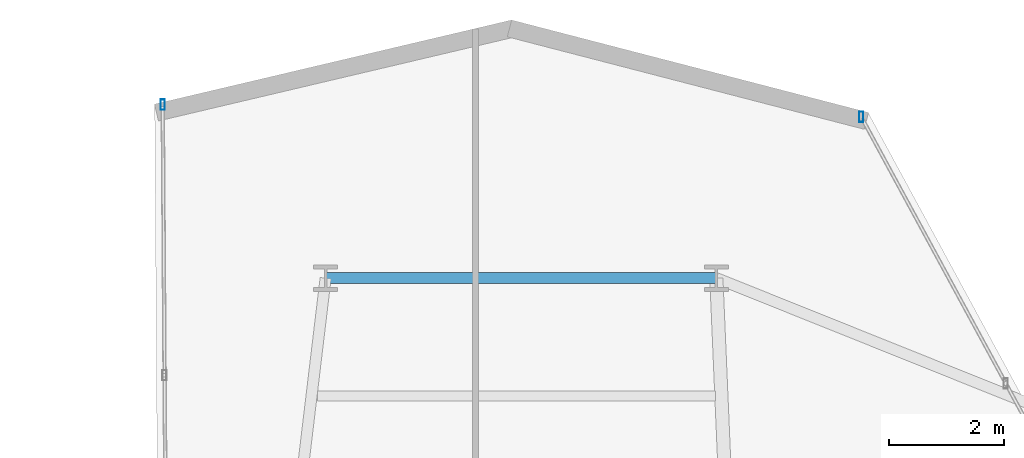
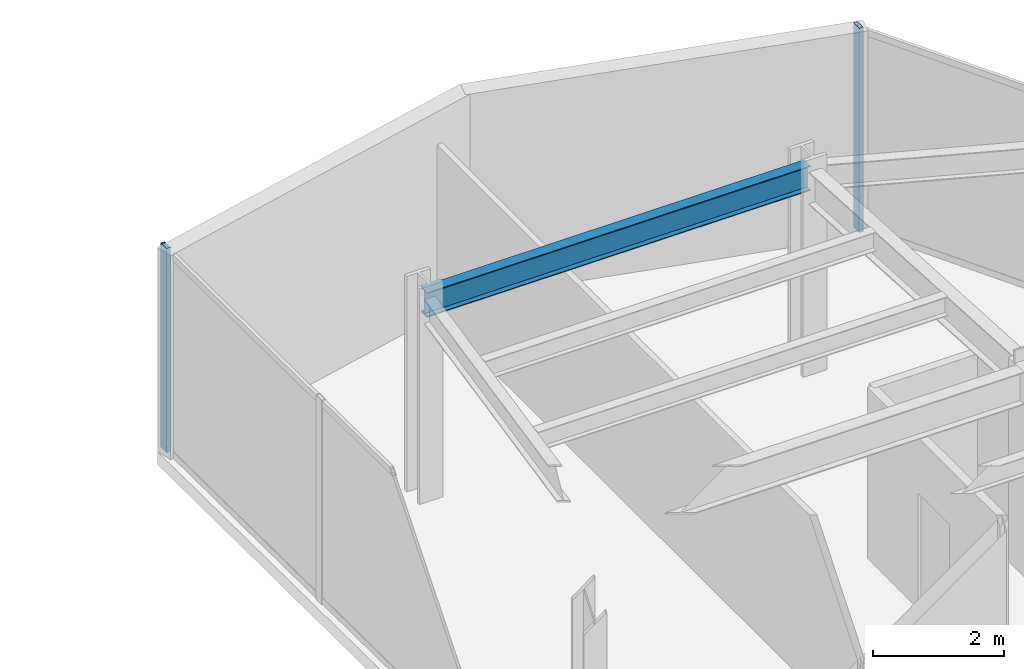
# One storey, part 19 of 26: 2 members, 1 beam, 2 elements without a shape of their own.
"""IFC4 building model written with IfcOpenShell, lengths in metres."""

import ifcopenshell
import ifcopenshell.guid

model = None  # the IFC model being written
_history = None  # IfcOwnerHistory: only IFC2X3 demands one
_inside = {}  # id of a spatial element -> (the spatial element, [elements in it])
_under = {}  # id of a project, library or spatial element -> (it, [spatial elements below it])
_declared = {}  # id of a project -> (the project, [libraries it declares])
_typed = {}  # id of a type object -> (the type object, [elements of that type])
_made_of = {}  # id of a material, layer set ... -> (it, [elements and type objects made of it])


def new_model(schema):
    """Start an empty IFC model of exactly this schema.

    Asked for "IFC4X3", IfcOpenShell would pick the latest addendum, in which some entities
    have other attributes; the version numbers below select the first issue.
    IFC2X3 requires an IfcOwnerHistory on every rooted entity: one is made here for all.
    """
    global model, _history
    if schema == "IFC4X3":
        model = ifcopenshell.file(schema_version=(4, 3, 0, 0))
    else:
        model = ifcopenshell.file(schema=schema)
    _inside.clear()
    _under.clear()
    _declared.clear()
    _typed.clear()
    _made_of.clear()
    _history = None
    if model.schema == "IFC2X3":
        org = make("IfcOrganization", Name="unknown")
        user = make(
            "IfcPersonAndOrganization",
            ThePerson=make("IfcPerson", FamilyName="unknown"),
            TheOrganization=org,
        )
        app = make(
            "IfcApplication",
            ApplicationDeveloper=org,
            Version="unknown",
            ApplicationFullName="unknown",
            ApplicationIdentifier="unknown",
        )
        _history = make(
            "IfcOwnerHistory",
            OwningUser=user,
            OwningApplication=app,
            ChangeAction="ADDED",
            CreationDate=0,
        )
    return model


def make(cls, **values):
    """One entity of the class cls with the attributes given. An attribute that is None is left unset."""
    return model.create_entity(
        cls, **{name: value for name, value in values.items() if value is not None}
    )


def rooted(cls, **values):
    """An entity with a GlobalId (a new one), such as an element, a storey or a relation."""
    return make(cls, GlobalId=ifcopenshell.guid.new(), OwnerHistory=_history, **values)


def si_unit(unit_type, name, prefix=None):
    """IfcSIUnit, for example si_unit("LENGTHUNIT", "METRE", prefix="MILLI")."""
    return make("IfcSIUnit", UnitType=unit_type, Prefix=prefix, Name=name)


def assignment(units):
    """IfcUnitAssignment: the units of a project."""
    return None if units is None else make("IfcUnitAssignment", Units=units)


def point(xyz):
    """IfcCartesianPoint."""
    return None if xyz is None else make("IfcCartesianPoint", Coordinates=xyz)


def direction(xyz):
    """IfcDirection."""
    return None if xyz is None else make("IfcDirection", DirectionRatios=xyz)


def frame(location, z_axis=None, x_axis=None):
    """IfcAxis2Placement3D, a coordinate frame: its origin and axes. An axis left out is left unset."""
    return make(
        "IfcAxis2Placement3D",
        Location=point(location),
        Axis=direction(z_axis),
        RefDirection=direction(x_axis),
    )


def frame_2d(location, x_axis=None):
    """IfcAxis2Placement2D, a coordinate frame in the plane: its origin and x axis."""
    return make(
        "IfcAxis2Placement2D", Location=point(location), RefDirection=direction(x_axis)
    )


def origin():
    """The frame at (0, 0, 0) with its axes left unset."""
    return frame((0.0, 0.0, 0.0))


def origin_2d():
    """The frame at (0, 0) in the plane with its x axis left unset."""
    return frame_2d((0.0, 0.0))


def place(relative_to, where):
    """IfcLocalPlacement: puts the frame where relative to a parent placement (None: the world)."""
    return make(
        "IfcLocalPlacement", PlacementRelTo=relative_to, RelativePlacement=where
    )


def context(
    kind, dimensions, precision=None, world=None, true_north=None, identifier=None
):
    """IfcGeometricRepresentationContext, for example the 3D "Model" context."""
    return make(
        "IfcGeometricRepresentationContext",
        ContextIdentifier=identifier,
        ContextType=kind,
        CoordinateSpaceDimension=dimensions,
        Precision=precision,
        WorldCoordinateSystem=world,
        TrueNorth=true_north,
    )


def subcontext(parent, identifier, kind, view, scale=None):
    """IfcGeometricRepresentationSubContext, for example "Body" below "Model"."""
    return make(
        "IfcGeometricRepresentationSubContext",
        ContextIdentifier=identifier,
        ContextType=kind,
        ParentContext=parent,
        TargetScale=scale,
        TargetView=view,
    )


def project(units=None, contexts=None):
    """IfcProject with its units and contexts."""
    return rooted(
        "IfcProject",
        Name="project",
        RepresentationContexts=contexts,
        UnitsInContext=assignment(units),
    )


def spatial(cls, under=None, at=None, **own):
    """A site, building, storey or space (cls), placed at a placement, below another one or the project."""
    s = rooted(cls, ObjectPlacement=at, **own)
    if under is not None:
        _under.setdefault(under.id(), (under, []))[1].append(s)
    return s


def profile(cls, at=None, kind="AREA", **sizes):
    """A parametric profile (cls). Its sizes go by their IFC names, for example OverallWidth=200.0."""
    return make(cls, ProfileType=kind, Position=at, **sizes)


def hollow_rectangle(**sizes):
    """IfcRectangleHollowProfileDef."""
    return profile("IfcRectangleHollowProfileDef", **sizes)


def i_section(**sizes):
    """IfcIShapeProfileDef."""
    return profile("IfcIShapeProfileDef", **sizes)


def extrude(swept, where, along, depth):
    """IfcExtrudedAreaSolid: the profile swept, set in the frame where, extruded along a direction by depth."""
    return make(
        "IfcExtrudedAreaSolid",
        SweptArea=swept,
        Position=where,
        ExtrudedDirection=direction(along),
        Depth=depth,
    )


def shape(context_of_items, identifier, shape_type, items):
    """IfcShapeRepresentation: the items that make up one representation, for example the "Body"."""
    return make(
        "IfcShapeRepresentation",
        ContextOfItems=context_of_items,
        RepresentationIdentifier=identifier,
        RepresentationType=shape_type,
        Items=items,
    )


def material(Name=None, Category=None):
    """IfcMaterial."""
    return make("IfcMaterial", Name=Name, Category=Category)


def layer(
    of_material, thickness, ventilated=None, Name=None, Category=None, Priority=None
):
    """IfcMaterialLayer: one layer of a wall or slab, of a material (None: an air gap)."""
    return make(
        "IfcMaterialLayer",
        Material=of_material,
        LayerThickness=thickness,
        IsVentilated=ventilated,
        Name=Name,
        Category=Category,
        Priority=Priority,
    )


def layer_set(layers, Name=None):
    """IfcMaterialLayerSet."""
    return make("IfcMaterialLayerSet", MaterialLayers=layers, LayerSetName=Name)


def material_profile(
    of_material, cross_section, Name=None, Category=None, Priority=None
):
    """IfcMaterialProfile: a cross section and its material."""
    return make(
        "IfcMaterialProfile",
        Name=Name,
        Material=of_material,
        Profile=cross_section,
        Priority=Priority,
        Category=Category,
    )


def profile_set(profiles, Name=None, composite=None):
    """IfcMaterialProfileSet."""
    return make(
        "IfcMaterialProfileSet",
        Name=Name,
        MaterialProfiles=profiles,
        CompositeProfile=composite,
    )


def made_of(thing, what):
    """Note that an element or type object is made of a material, layer set ...; save() writes the relation."""
    if what is not None:
        _made_of.setdefault(what.id(), (what, []))[1].append(thing)
    return thing


def type_object(cls, material=None, **own):
    """A type object (cls), such as IfcWallType, which elements share."""
    return made_of(rooted(cls, **own), material)


def element(
    cls,
    number,
    at=None,
    inside=None,
    cuts=None,
    type_object=None,
    material=None,
    context=None,
    identifier="Body",
    shape_type=None,
    held_by="IfcProductDefinitionShape",
    body=None,
    shapes=None,
    **own,
):
    """One element of the class cls, such as IfcWall. Its Tag is "e" and its number.

    at: its placement. inside: the storey or other place that contains it. cuts: it is an
    opening in that element (IfcRelVoidsElement). A single representation is given by context,
    identifier, shape_type and body (its items); several are given by shapes. held_by: the class
    of the entity that holds the representations. save() writes the other relations.
    """
    e = rooted(cls, Tag="e%d" % number, ObjectPlacement=at, **own)
    if body is not None:
        shapes = [shape(context, identifier, shape_type, body)]
    if shapes is not None:
        e.Representation = make(held_by, Representations=shapes)
    if inside is not None:
        _inside.setdefault(inside.id(), (inside, []))[1].append(e)
    if cuts is not None:
        rooted(
            "IfcRelVoidsElement", RelatingBuildingElement=cuts, RelatedOpeningElement=e
        )
    if type_object is not None:
        _typed.setdefault(type_object.id(), (type_object, []))[1].append(e)
    return made_of(e, material)


def aggregate(whole, parts):
    """IfcRelAggregates: a whole, such as a stair, and the parts it consists of."""
    return rooted("IfcRelAggregates", RelatingObject=whole, RelatedObjects=parts)


def save(model, path):
    """Write the relations noted so far, then the file.

    IfcRelAggregates (storeys below a building ...), IfcRelContainedInSpatialStructure (elements
    in a storey), IfcRelDefinesByType, IfcRelAssociatesMaterial and IfcRelDeclares: one each for
    every whole, place, type object, material and project.
    """
    for whole, parts in _under.values():
        aggregate(whole, parts)
    for where, things in _inside.values():
        rooted(
            "IfcRelContainedInSpatialStructure",
            RelatedElements=things,
            RelatingStructure=where,
        )
    for kind, things in _typed.values():
        rooted("IfcRelDefinesByType", RelatedObjects=things, RelatingType=kind)
    for what, things in _made_of.values():
        rooted("IfcRelAssociatesMaterial", RelatedObjects=things, RelatingMaterial=what)
    for by, libraries in _declared.values():
        rooted("IfcRelDeclares", RelatingContext=by, RelatedDefinitions=libraries)
    model.write(path)


model = new_model("IFC4")

# Units and contexts
model_context = context("Model", 3, precision=1e-05, world=origin(), true_north=direction((0.0, 1.0)))
body_context = subcontext(model_context, "Body", "Model", "MODEL_VIEW")
ifc_project = project(units=[si_unit("LENGTHUNIT", "METRE"), si_unit("AREAUNIT", "SQUARE_METRE"), si_unit("VOLUMEUNIT", "CUBIC_METRE"), si_unit("PLANEANGLEUNIT", "RADIAN"), si_unit("MASSUNIT", "GRAM", prefix="KILO")], contexts=[model_context])

# Site, building, storey
site_placement = place(None, origin())
site = spatial("IfcSite", under=ifc_project, at=site_placement, CompositionType="ELEMENT")
building_placement = place(site_placement, origin())
building = spatial("IfcBuilding", under=site, at=building_placement, Name="Veymaron Broadcast Tower", CompositionType="ELEMENT")
storey_placement = place(building_placement, frame((0.0, 0.0, 153.300048828125)))
storey = spatial("IfcBuildingStorey", under=building, at=storey_placement, Name="L35", CompositionType="ELEMENT", Elevation=153.300048828125)

# Beam
ifc_material_1 = material(Name="Structural steel ASTM A992 Gr 50", Category="steel")
ifc_material_profile_1 = material_profile(ifc_material_1, i_section(OverallWidth=0.19091796875, OverallDepth=0.4599609375, WebThickness=0.010009765625, FlangeThickness=0.01611328125, at=origin_2d()), Name="W460X82")
ifc_profile_set_1 = profile_set([ifc_material_profile_1], Name="Structural steel ASTM A992 Gr 50")
beam_type = type_object("IfcBeamType", Name="BM-SP1", PredefinedType="SPANDREL", material=ifc_profile_set_1)
beam_placement = place(storey_placement, frame((31.961669921875, 38.367919921875, 3.579833984375), z_axis=(1.0, 0.0, 0.0), x_axis=(0.0, 1.0, 0.0)))
element("IfcBeam", 1, at=beam_placement, inside=storey, type_object=beam_type, Name="L35 primary structural floor girder", PredefinedType="SPANDREL", context=body_context, shape_type="SweptSolid", body=[
    extrude(i_section(OverallWidth=0.19091796875, OverallDepth=0.4599609375, WebThickness=0.010009765625, FlangeThickness=0.01611328125, at=origin_2d()), origin(), (0.0, 0.0, 1.0), 6.766357421875),
])

# Curtain wall, member
ifc_material_2 = material(Name="Anodised aluminium AA 6063-T6 and laminated low-E dark glass", Category="aluminium")
ifc_layer = layer(ifc_material_2, 0.179931640625)
ifc_layer_set = layer_set([ifc_layer], Name="Anodised aluminium AA 6063-T6 and laminated low-E dark glass")
curtain_wall_type = type_object("IfcCurtainWallType", Name="CW-SYS-03", PredefinedType="NOTDEFINED", material=ifc_layer_set)
curtain_wall_1_placement = place(storey_placement, origin())
curtain_wall_1 = element("IfcCurtainWall", 2, at=curtain_wall_1_placement, inside=storey, type_object=curtain_wall_type, Name="L35 dark-glass curtain wall CW-L35-E5-1", PredefinedType="NOTDEFINED")
ifc_material_3 = material(Name="Anodised aluminium AA 6063-T6", Category="aluminium")
ifc_material_profile_2 = material_profile(ifc_material_3, hollow_rectangle(XDim=0.074951171875, YDim=0.179931640625, WallThickness=0.0048828125, at=origin_2d()), Name="AL180X75X5")
ifc_profile_set_2 = profile_set([ifc_material_profile_2], Name="Anodised aluminium AA 6063-T6")
member_type = type_object("IfcMemberType", Name="CW-MUL-02", PredefinedType="MULLION", material=ifc_profile_set_2)
member_1_placement = place(storey_placement, frame((41.237548828125, 41.160400390625, 0.0), z_axis=(0.0, 0.0, 1.0), x_axis=(1.0, 0.0, 0.0)))
member_1 = element("IfcMember", 3, at=member_1_placement, type_object=member_type, Name="CW-L35-E5-1 mullion 2", PredefinedType="MULLION", context=body_context, shape_type="SweptSolid", body=[
    extrude(hollow_rectangle(XDim=0.074951171875, YDim=0.179931640625, WallThickness=0.0048828125, at=origin_2d()), origin(), (0.0, 0.0, 1.0), 3.81005859375),
])
aggregate(curtain_wall_1, [member_1])

curtain_wall_2_placement = place(storey_placement, origin())
curtain_wall_2 = element("IfcCurtainWall", 4, at=curtain_wall_2_placement, inside=storey, type_object=curtain_wall_type, Name="L35 dark-glass curtain wall CW-L35-E8-1", PredefinedType="NOTDEFINED")
member_2_placement = place(storey_placement, frame((29.14111328125, 41.373779296875, 0.0), z_axis=(0.0, 0.0, 1.0), x_axis=(1.0, 0.0, 0.0)))
member_2 = element("IfcMember", 5, at=member_2_placement, type_object=member_type, Name="CW-L35-E8-1 mullion 0", PredefinedType="MULLION", context=body_context, shape_type="SweptSolid", body=[
    extrude(hollow_rectangle(XDim=0.074951171875, YDim=0.179931640625, WallThickness=0.0048828125, at=origin_2d()), origin(), (0.0, 0.0, 1.0), 3.81005859375),
])
aggregate(curtain_wall_2, [member_2])

save(model, "model.ifc")
